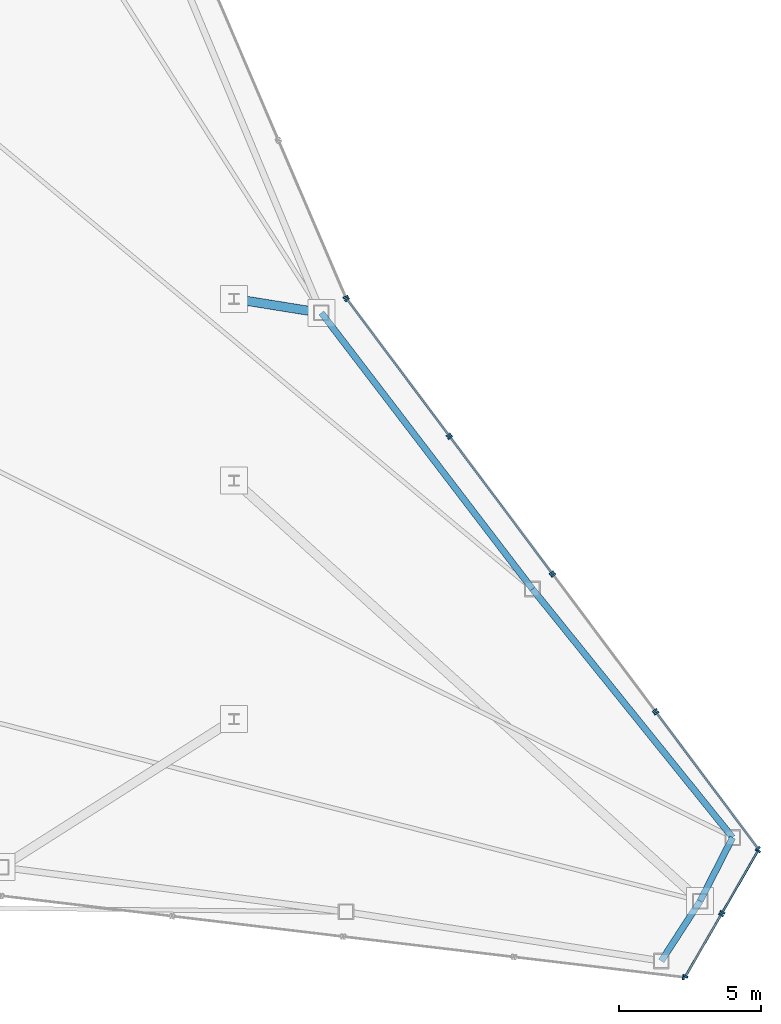
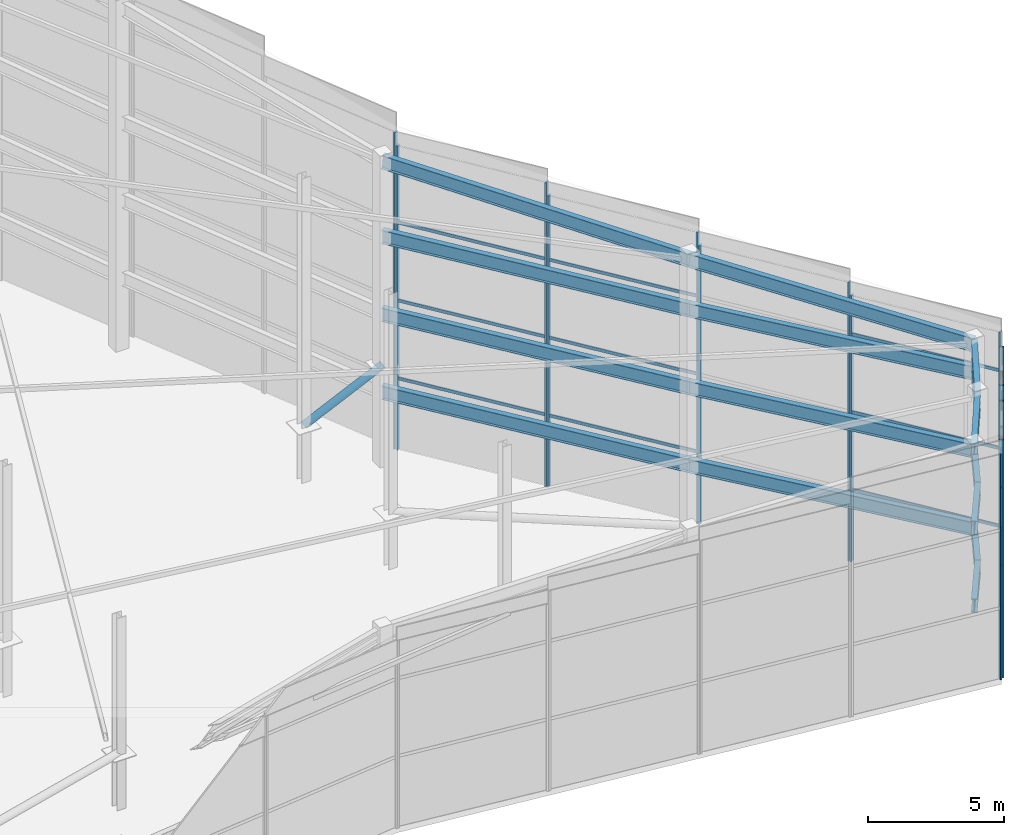
# One storey, part 11 of 17: 29 members, 15 beams, 8 elements without a shape of their own.
"""IFC4 building model written with IfcOpenShell, lengths in metres."""

from ifc_helpers import new_model, si_unit, direction, frame, origin, origin_2d, place, context, subcontext, project, spatial, rectangle, hollow_circle, i_section, extrude, source, transform, mapped, material, layer, layer_set, material_profile, profile_set, type_object, type_shapes, element, aggregate, save


model = new_model("IFC4")

# Units and contexts
model_context = context("Model", 3, precision=1e-05, world=origin(), true_north=direction((0.0, 1.0)))
body_context = subcontext(model_context, "Body", "Model", "MODEL_VIEW")
ifc_project = project(units=[si_unit("LENGTHUNIT", "METRE"), si_unit("AREAUNIT", "SQUARE_METRE"), si_unit("VOLUMEUNIT", "CUBIC_METRE"), si_unit("PLANEANGLEUNIT", "RADIAN"), si_unit("MASSUNIT", "GRAM", prefix="KILO")], contexts=[model_context])

# Site, building, storey
site_placement = place(None, origin())
site = spatial("IfcSite", under=ifc_project, at=site_placement, CompositionType="ELEMENT")
building_placement = place(site_placement, origin())
building = spatial("IfcBuilding", under=site, at=building_placement, Name="Varakhsha Concourse Tower", CompositionType="ELEMENT")
storey_placement = place(building_placement, frame((0.0, 0.0, 294.800048828125)))
storey = spatial("IfcBuildingStorey", under=building, at=storey_placement, Name="RF", CompositionType="ELEMENT", Elevation=294.800048828125)

# Beams
ifc_material_1 = material(Name="Structural Steel ASTM A992 Grade 50", Category="steel")
ifc_material_profile_1 = material_profile(ifc_material_1, i_section(OverallWidth=0.22900390625, OverallDepth=0.612060546875, WebThickness=0.011962890625, FlangeThickness=0.02001953125, at=origin_2d()), Name="W24X84")
ifc_profile_set_1 = profile_set([ifc_material_profile_1], Name="Structural Steel ASTM A992 Grade 50")
beam_type = type_object("IfcBeamType", Name="BM-CROWN-W24X84", PredefinedType="BEAM", material=ifc_profile_set_1)
beam_1_placement = place(storey_placement, frame((63.243408203125, 7.881591796875, 10.25390625), z_axis=(0.528506634206, 0.816276418771, 0.233181358087), x_axis=(-0.839416388173, 0.543488847416, 0.0)))
element("IfcBeam", 1, at=beam_1_placement, inside=storey, type_object=beam_type, Name="Crown Frame Sloped Cap Ring 13", PredefinedType="BEAM", context=body_context, shape_type="SweptSolid", body=[
    extrude(i_section(OverallWidth=0.22900390625, OverallDepth=0.612060546875, WebThickness=0.011962890625, FlangeThickness=0.02001953125, at=origin_2d()), origin(), (0.0, 0.0, 1.0), 2.5849609375),
])
for number, where, z_axis, x_axis, name in (
    (2, (63.243408203125, 7.881591796875, 3.199951171875), (0.543488847416, 0.839416388173, 0.0), (-0.839416388173, 0.543488847416, 0.0), "Crown Frame Ring Tier 1 13"),
    (3, (63.243408203125, 7.881591796875, 6.699951171875), (0.543488847416, 0.839416388173, 0.0), (-0.839416388173, 0.543488847416, 0.0), "Crown Frame Ring Tier 2 13"),
):
    element("IfcBeam", number, at=place(storey_placement, frame(where, z_axis=z_axis, x_axis=x_axis)), inside=storey, type_object=beam_type, Name=name, PredefinedType="BEAM", context=body_context, shape_type="SweptSolid", body=[
        extrude(i_section(OverallWidth=0.22900390625, OverallDepth=0.612060546875, WebThickness=0.011962890625, FlangeThickness=0.02001953125, at=origin_2d()), origin(), (0.0, 0.0, 1.0), 2.513671875),
    ])
beam_2_placement = place(storey_placement, frame((64.609619140625, 9.99169921875, 10.856689453125), z_axis=(0.442686595761, 0.865822066, 0.23319675804), x_axis=(-0.89036994672, 0.455237693932, 0.0)))
element("IfcBeam", 4, at=beam_2_placement, inside=storey, type_object=beam_type, Name="Crown Frame Sloped Cap Ring 14", PredefinedType="BEAM", context=body_context, shape_type="SweptSolid", body=[
    extrude(i_section(OverallWidth=0.22900390625, OverallDepth=0.612060546875, WebThickness=0.011962890625, FlangeThickness=0.02001953125, at=origin_2d()), origin(), (0.0, 0.0, 1.0), 2.5849609375),
])
for number, where, z_axis, x_axis, name in (
    (5, (64.609619140625, 9.99169921875, 3.199951171875), (0.455237693932, 0.89036994672, 0.0), (-0.89036994672, 0.455237693932, 0.0), "Crown Frame Ring Tier 1 14"),
    (6, (64.609619140625, 9.99169921875, 6.699951171875), (0.455237693932, 0.89036994672, 0.0), (-0.89036994672, 0.455237693932, 0.0), "Crown Frame Ring Tier 2 14"),
    (7, (64.609619140625, 9.99169921875, 10.199951171875), (0.455237693932, 0.89036994672, 0.0), (-0.89036994672, 0.455237693932, 0.0), "Crown Frame Ring Tier 3 14"),
):
    element("IfcBeam", number, at=place(storey_placement, frame(where, z_axis=z_axis, x_axis=x_axis)), inside=storey, type_object=beam_type, Name=name, PredefinedType="BEAM", context=body_context, shape_type="SweptSolid", body=[
        extrude(i_section(OverallWidth=0.22900390625, OverallDepth=0.612060546875, WebThickness=0.011962890625, FlangeThickness=0.02001953125, at=origin_2d()), origin(), (0.0, 0.0, 1.0), 2.513671875),
    ])
beam_3_placement = place(storey_placement, frame((65.75390625, 12.229736328125, 11.45947265625), z_axis=(-0.624937367859, 0.775890305081, 0.086299019315), x_axis=(-0.778795773661, -0.627277564502, 0.0)))
element("IfcBeam", 8, at=beam_3_placement, inside=storey, type_object=beam_type, Name="Crown Frame Sloped Cap Ring 15", PredefinedType="BEAM", context=body_context, shape_type="SweptSolid", body=[
    extrude(i_section(OverallWidth=0.22900390625, OverallDepth=0.612060546875, WebThickness=0.011962890625, FlangeThickness=0.02001953125, at=origin_2d()), origin(), (0.0, 0.0, 1.0), 11.279296875),
])
for number, where, z_axis, x_axis, name in (
    (9, (65.75390625, 12.229736328125, 3.199951171875), (-0.627277564502, 0.778795773661, 0.0), (-0.778795773661, -0.627277564502, 0.0), "Crown Frame Ring Tier 1 15"),
    (10, (65.75390625, 12.229736328125, 6.699951171875), (-0.627277564502, 0.778795773661, 0.0), (-0.778795773661, -0.627277564502, 0.0), "Crown Frame Ring Tier 2 15"),
    (11, (65.75390625, 12.229736328125, 10.199951171875), (-0.627277564502, 0.778795773661, 0.0), (-0.778795773661, -0.627277564502, 0.0), "Crown Frame Ring Tier 3 15"),
):
    element("IfcBeam", number, at=place(storey_placement, frame(where, z_axis=z_axis, x_axis=x_axis)), inside=storey, type_object=beam_type, Name=name, PredefinedType="BEAM", context=body_context, shape_type="SweptSolid", body=[
        extrude(i_section(OverallWidth=0.22900390625, OverallDepth=0.612060546875, WebThickness=0.011962890625, FlangeThickness=0.02001953125, at=origin_2d()), origin(), (0.0, 0.0, 1.0), 11.237060546875),
    ])
beam_4_placement = place(storey_placement, frame((58.705078125, 20.981201171875, 12.432861328125), z_axis=(-0.60467719962, 0.791150282625, 0.091906009388), x_axis=(-0.794512910357, -0.60724726041, 0.0)))
element("IfcBeam", 12, at=beam_4_placement, inside=storey, type_object=beam_type, Name="Crown Frame Sloped Cap Ring 16", PredefinedType="BEAM", context=body_context, shape_type="SweptSolid", body=[
    extrude(i_section(OverallWidth=0.22900390625, OverallDepth=0.612060546875, WebThickness=0.011962890625, FlangeThickness=0.02001953125, at=origin_2d()), origin(), (0.0, 0.0, 1.0), 12.2939453125),
])
for number, where, z_axis, x_axis, name in (
    (13, (58.705078125, 20.981201171875, 3.199951171875), (-0.60724726041, 0.794512910357, 0.0), (-0.794512910357, -0.60724726041, 0.0), "Crown Frame Ring Tier 1 16"),
    (14, (58.705078125, 20.981201171875, 6.699951171875), (-0.60724726041, 0.794512910357, 0.0), (-0.794512910357, -0.60724726041, 0.0), "Crown Frame Ring Tier 2 16"),
    (15, (58.705078125, 20.981201171875, 10.199951171875), (-0.60724726041, 0.794512910357, 0.0), (-0.794512910357, -0.60724726041, 0.0), "Crown Frame Ring Tier 3 16"),
):
    element("IfcBeam", number, at=place(storey_placement, frame(where, z_axis=z_axis, x_axis=x_axis)), inside=storey, type_object=beam_type, Name=name, PredefinedType="BEAM", context=body_context, shape_type="SweptSolid", body=[
        extrude(i_section(OverallWidth=0.22900390625, OverallDepth=0.612060546875, WebThickness=0.011962890625, FlangeThickness=0.02001953125, at=origin_2d()), origin(), (0.0, 0.0, 1.0), 12.241943359375),
    ])

# Member
ifc_material_2 = material(Name="Structural Steel ASTM A500 Grade C", Category="steel")
ifc_material_profile_2 = material_profile(ifc_material_2, hollow_circle(Radius=0.162109375, WallThickness=0.013916015625, at=origin_2d()), Name="CHS 324x14")
ifc_profile_set_2 = profile_set([ifc_material_profile_2], Name="Structural Steel ASTM A500 Grade C")
member_type_1 = type_object("IfcMemberType", Name="MB-CROWN-CHS324", PredefinedType="BRACE", material=ifc_profile_set_2)
shared_shape_1 = source(origin(), body_context, "Body", "SweptSolid", [
    extrude(hollow_circle(Radius=0.162109375, WallThickness=0.013916015625, at=origin_2d()), origin(), (0.0, 0.0, 1.0), 3.671142578125),
])
type_shapes(member_type_1, [shared_shape_1])
member_1_placement = place(storey_placement, frame((48.199951171875, 31.199951171875, 2.449951171875), z_axis=(0.836592891465, -0.134134170277, 0.531150033714), x_axis=(0.158311917245, 0.987389151681, 0.0)))
element("IfcMember", 16, at=member_1_placement, inside=storey, type_object=member_type_1, Name="Crown Frame Radial Wind Brace CB04", PredefinedType="BRACE", context=body_context, shape_type="MappedRepresentation", body=[
    mapped(shared_shape_1, transform((0.0, 0.0, 0.0), scale=1.0)),
])

# Curtain wall, members
ifc_material_3 = material(Name="Anodised Bronze Architectural Aluminium AA 6063-T6", Category="aluminium")
ifc_layer = layer(ifc_material_3, 0.219970703125, Name="CW-SYS-07")
ifc_layer_set = layer_set([ifc_layer], Name="Anodised Bronze Architectural Aluminium AA 6063-T6")
curtain_wall_type = type_object("IfcCurtainWallType", Name="CW-SYS-07", PredefinedType="NOTDEFINED", material=ifc_layer_set)
curtain_wall_1_placement = place(storey_placement, origin())
curtain_wall_1 = element("IfcCurtainWall", 17, at=curtain_wall_1_placement, inside=storey, type_object=curtain_wall_type, Name="Slanted Crown Curtain Wall F7-S1", PredefinedType="NOTDEFINED")
ifc_material_profile_3 = material_profile(ifc_material_3, rectangle(XDim=0.06005859375, YDim=0.139892578125, at=origin_2d()), Name="CWT-140X60")
ifc_profile_set_3 = profile_set([ifc_material_profile_3], Name="Anodised Bronze Architectural Aluminium AA 6063-T6")
member_type_2 = type_object("IfcMemberType", Name="CWT-140X60", PredefinedType="USERDEFINED", material=ifc_profile_set_3)
shared_shape_2 = source(origin(), body_context, "Body", "SweptSolid", [
    extrude(rectangle(XDim=0.06005859375, YDim=0.139892578125, at=origin_2d()), origin(), (0.0, 0.0, 1.0), 2.5),
])
member_2_placement = place(storey_placement, frame((65.3466796875, 9.50830078125, 3.199951171875), z_axis=(-0.500004234368, -0.866022959057, 0.0), x_axis=(0.866022959057, -0.500004234368, 0.0)))
member_2 = element("IfcMember", 18, at=member_2_placement, type_object=member_type_2, Name="CW-RF-F7S1 Transom 01", ObjectType="TRANSOM", PredefinedType="USERDEFINED", context=body_context, shape_type="MappedRepresentation", body=[
    mapped(shared_shape_2, transform((0.0, 0.0, 0.0), scale=1.0)),
])
member_3_placement = place(storey_placement, frame((65.3466796875, 9.50830078125, 6.699951171875), z_axis=(-0.500004234368, -0.866022959057, 0.0), x_axis=(0.866022959057, -0.500004234368, 0.0)))
member_3 = element("IfcMember", 19, at=member_3_placement, type_object=member_type_2, Name="CW-RF-F7S1 Transom 02", ObjectType="TRANSOM", PredefinedType="USERDEFINED", context=body_context, shape_type="MappedRepresentation", body=[
    mapped(shared_shape_2, transform((0.0, 0.0, 0.0), scale=1.0)),
])

curtain_wall_2_placement = place(storey_placement, origin())
curtain_wall_2 = element("IfcCurtainWall", 20, at=curtain_wall_2_placement, inside=storey, type_object=curtain_wall_type, Name="Slanted Crown Curtain Wall F7-S2", PredefinedType="NOTDEFINED")
member_4_placement = place(storey_placement, frame((66.646728515625, 11.760009765625, 3.199951171875), z_axis=(-0.500004234368, -0.866022959057, 0.0), x_axis=(0.866022959057, -0.500004234368, 0.0)))
member_4 = element("IfcMember", 21, at=member_4_placement, type_object=member_type_2, Name="CW-RF-F7S2 Transom 01", ObjectType="TRANSOM", PredefinedType="USERDEFINED", context=body_context, shape_type="MappedRepresentation", body=[
    mapped(shared_shape_2, transform((0.0, 0.0, 0.0), scale=1.0)),
])
member_5_placement = place(storey_placement, frame((66.646728515625, 11.760009765625, 6.699951171875), z_axis=(-0.500004234368, -0.866022959057, 0.0), x_axis=(0.866022959057, -0.500004234368, 0.0)))
member_5 = element("IfcMember", 22, at=member_5_placement, type_object=member_type_2, Name="CW-RF-F7S2 Transom 02", ObjectType="TRANSOM", PredefinedType="USERDEFINED", context=body_context, shape_type="MappedRepresentation", body=[
    mapped(shared_shape_2, transform((0.0, 0.0, 0.0), scale=1.0)),
])
member_6_placement = place(storey_placement, frame((66.646728515625, 11.760009765625, 10.199951171875), z_axis=(-0.500004234368, -0.866022959057, 0.0), x_axis=(0.866022959057, -0.500004234368, 0.0)))
member_6 = element("IfcMember", 23, at=member_6_placement, type_object=member_type_2, Name="CW-RF-F7S2 Transom 03", ObjectType="TRANSOM", PredefinedType="USERDEFINED", context=body_context, shape_type="MappedRepresentation", body=[
    mapped(shared_shape_2, transform((0.0, 0.0, 0.0), scale=1.0)),
])
ifc_material_profile_4 = material_profile(ifc_material_3, rectangle(XDim=0.06494140625, YDim=0.179931640625, at=origin_2d()), Name="CWM-180X65")
ifc_profile_set_4 = profile_set([ifc_material_profile_4], Name="Anodised Bronze Architectural Aluminium AA 6063-T6")
member_type_3 = type_object("IfcMemberType", Name="CWM-180X65", PredefinedType="MULLION", material=ifc_profile_set_4)
shared_shape_3 = source(origin(), body_context, "Body", "SweptSolid", [
    extrude(rectangle(XDim=0.06494140625, YDim=0.179931640625, at=origin_2d()), origin(), (0.0, 0.0, 1.0), 11.32666015625),
])
member_7_placement = place(storey_placement, frame((66.646728515625, 11.760009765625, 0.0), z_axis=(0.0, 0.0, 1.0), x_axis=(-0.500010580459, -0.866019295067, 0.0)))
member_7 = element("IfcMember", 24, at=member_7_placement, type_object=member_type_3, Name="CW-RF-F7S2 Mullion 00", PredefinedType="MULLION", context=body_context, shape_type="MappedRepresentation", body=[
    mapped(shared_shape_3, transform((0.0, 0.0, 0.0), scale=1.0)),
])
member_8_placement = place(storey_placement, frame((65.396728515625, 9.594970703125, 0.0), z_axis=(0.0, 0.0, 1.0), x_axis=(-0.500010580459, -0.866019295067, 0.0)))
member_8 = element("IfcMember", 25, at=member_8_placement, type_object=member_type_3, Name="CW-RF-F7S2 Mullion 01", PredefinedType="MULLION", context=body_context, shape_type="MappedRepresentation", body=[
    mapped(shared_shape_3, transform((0.0, 0.0, 0.0), scale=1.0)),
])
aggregate(curtain_wall_2, [member_7, member_8, member_4, member_5, member_6])

curtain_wall_3_placement = place(storey_placement, origin())
curtain_wall_3 = element("IfcCurtainWall", 26, at=curtain_wall_3_placement, inside=storey, type_object=curtain_wall_type, Name="Slanted Crown Curtain Wall F8-S1", PredefinedType="NOTDEFINED")
shared_shape_4 = source(origin(), body_context, "Body", "SweptSolid", [
    extrude(rectangle(XDim=0.06005859375, YDim=0.139892578125, at=origin_2d()), origin(), (0.0, 0.0, 1.0), 5.960693359375),
])
type_shapes(member_type_2, [shared_shape_2, shared_shape_4])
member_9_placement = place(storey_placement, frame((63.07080078125, 16.615966796875, 3.199951171875), z_axis=(0.599062452485, -0.800702302996, 0.0), x_axis=(0.800702302996, 0.599062452485, 0.0)))
member_9 = element("IfcMember", 27, at=member_9_placement, type_object=member_type_2, Name="CW-RF-F8S1 Transom 01", ObjectType="TRANSOM", PredefinedType="USERDEFINED", context=body_context, shape_type="MappedRepresentation", body=[
    mapped(shared_shape_4, transform((0.0, 0.0, 0.0), scale=1.0)),
])
member_10_placement = place(storey_placement, frame((63.07080078125, 16.615966796875, 6.699951171875), z_axis=(0.599062452485, -0.800702302996, 0.0), x_axis=(0.800702302996, 0.599062452485, 0.0)))
member_10 = element("IfcMember", 28, at=member_10_placement, type_object=member_type_2, Name="CW-RF-F8S1 Transom 02", ObjectType="TRANSOM", PredefinedType="USERDEFINED", context=body_context, shape_type="MappedRepresentation", body=[
    mapped(shared_shape_4, transform((0.0, 0.0, 0.0), scale=1.0)),
])
member_11_placement = place(storey_placement, frame((63.07080078125, 16.615966796875, 10.199951171875), z_axis=(0.599062452485, -0.800702302996, 0.0), x_axis=(0.800702302996, 0.599062452485, 0.0)))
member_11 = element("IfcMember", 29, at=member_11_placement, type_object=member_type_2, Name="CW-RF-F8S1 Transom 03", ObjectType="TRANSOM", PredefinedType="USERDEFINED", context=body_context, shape_type="MappedRepresentation", body=[
    mapped(shared_shape_4, transform((0.0, 0.0, 0.0), scale=1.0)),
])

curtain_wall_4_placement = place(storey_placement, origin())
curtain_wall_4 = element("IfcCurtainWall", 30, at=curtain_wall_4_placement, inside=storey, type_object=curtain_wall_type, Name="Slanted Crown Curtain Wall F8-S3", PredefinedType="NOTDEFINED")
member_12_placement = place(storey_placement, frame((55.80859375, 26.32080078125, 3.199951171875), z_axis=(0.599108358218, -0.800667955593, 0.0), x_axis=(0.800667955593, 0.599108358218, 0.0)))
member_12 = element("IfcMember", 31, at=member_12_placement, type_object=member_type_2, Name="CW-RF-F8S3 Transom 01", ObjectType="TRANSOM", PredefinedType="USERDEFINED", context=body_context, shape_type="MappedRepresentation", body=[
    mapped(shared_shape_4, transform((0.0, 0.0, 0.0), scale=1.0)),
])
member_13_placement = place(storey_placement, frame((55.80859375, 26.32080078125, 6.699951171875), z_axis=(0.599108358218, -0.800667955593, 0.0), x_axis=(0.800667955593, 0.599108358218, 0.0)))
member_13 = element("IfcMember", 32, at=member_13_placement, type_object=member_type_2, Name="CW-RF-F8S3 Transom 02", ObjectType="TRANSOM", PredefinedType="USERDEFINED", context=body_context, shape_type="MappedRepresentation", body=[
    mapped(shared_shape_4, transform((0.0, 0.0, 0.0), scale=1.0)),
])
member_14_placement = place(storey_placement, frame((55.80859375, 26.32080078125, 10.199951171875), z_axis=(0.599108358218, -0.800667955593, 0.0), x_axis=(0.800667955593, 0.599108358218, 0.0)))
member_14 = element("IfcMember", 33, at=member_14_placement, type_object=member_type_2, Name="CW-RF-F8S3 Transom 03", ObjectType="TRANSOM", PredefinedType="USERDEFINED", context=body_context, shape_type="MappedRepresentation", body=[
    mapped(shared_shape_4, transform((0.0, 0.0, 0.0), scale=1.0)),
])

curtain_wall_5_placement = place(storey_placement, origin())
curtain_wall_5 = element("IfcCurtainWall", 34, at=curtain_wall_5_placement, inside=storey, type_object=curtain_wall_type, Name="Slanted Crown Curtain Wall F8-S4", PredefinedType="NOTDEFINED")
member_15_placement = place(storey_placement, frame((52.177734375, 31.173583984375, 3.199951171875), z_axis=(0.599088711153, -0.800682656343, 0.0), x_axis=(0.800682656343, 0.599088711153, 0.0)))
member_15 = element("IfcMember", 35, at=member_15_placement, type_object=member_type_2, Name="CW-RF-F8S4 Transom 01", ObjectType="TRANSOM", PredefinedType="USERDEFINED", context=body_context, shape_type="MappedRepresentation", body=[
    mapped(shared_shape_4, transform((0.0, 0.0, 0.0), scale=1.0)),
])
member_16_placement = place(storey_placement, frame((52.177734375, 31.173583984375, 6.699951171875), z_axis=(0.599088711153, -0.800682656343, 0.0), x_axis=(0.800682656343, 0.599088711153, 0.0)))
member_16 = element("IfcMember", 36, at=member_16_placement, type_object=member_type_2, Name="CW-RF-F8S4 Transom 02", ObjectType="TRANSOM", PredefinedType="USERDEFINED", context=body_context, shape_type="MappedRepresentation", body=[
    mapped(shared_shape_4, transform((0.0, 0.0, 0.0), scale=1.0)),
])
member_17_placement = place(storey_placement, frame((52.177734375, 31.173583984375, 10.199951171875), z_axis=(0.599088711153, -0.800682656343, 0.0), x_axis=(0.800682656343, 0.599088711153, 0.0)))
member_17 = element("IfcMember", 37, at=member_17_placement, type_object=member_type_2, Name="CW-RF-F8S4 Transom 03", ObjectType="TRANSOM", PredefinedType="USERDEFINED", context=body_context, shape_type="MappedRepresentation", body=[
    mapped(shared_shape_4, transform((0.0, 0.0, 0.0), scale=1.0)),
])

# Curtain wall, member
curtain_wall_6_placement = place(storey_placement, origin())
curtain_wall_6 = element("IfcCurtainWall", 38, at=curtain_wall_6_placement, inside=storey, type_object=curtain_wall_type, Name="Slanted Crown Curtain Wall F6-S4", PredefinedType="NOTDEFINED")
shared_shape_5 = source(origin(), body_context, "Body", "SweptSolid", [
    extrude(rectangle(XDim=0.06494140625, YDim=0.179931640625, at=origin_2d()), origin(), (0.0, 0.0, 1.0), 10.12939453125),
])
member_18_placement = place(storey_placement, frame((64.022216796875, 7.305908203125, 0.0), z_axis=(0.0, 0.0, 1.0), x_axis=(-0.992951034922, 0.118525281045, 0.0)))
member_18 = element("IfcMember", 39, at=member_18_placement, type_object=member_type_3, Name="CW-RF-F6S4 Mullion 00", PredefinedType="MULLION", context=body_context, shape_type="MappedRepresentation", body=[
    mapped(shared_shape_5, transform((0.0, 0.0, 0.0), scale=1.0)),
])
aggregate(curtain_wall_6, [member_18])

# Member
shared_shape_6 = source(origin(), body_context, "Body", "SweptSolid", [
    extrude(rectangle(XDim=0.06494140625, YDim=0.179931640625, at=origin_2d()), origin(), (0.0, 0.0, 1.0), 10.702392578125),
])
member_19_placement = place(storey_placement, frame((65.3466796875, 9.50830078125, 0.0), z_axis=(0.0, 0.0, 1.0), x_axis=(-0.49999395399, -0.866028894422, 0.0)))
member_19 = element("IfcMember", 40, at=member_19_placement, type_object=member_type_3, Name="CW-RF-F7S1 Mullion 00", PredefinedType="MULLION", context=body_context, shape_type="MappedRepresentation", body=[
    mapped(shared_shape_6, transform((0.0, 0.0, 0.0), scale=1.0)),
])

member_20_placement = place(storey_placement, frame((64.0966796875, 7.34326171875, 0.0), z_axis=(0.0, 0.0, 1.0), x_axis=(-0.49999395399, -0.866028894422, 0.0)))
member_20 = element("IfcMember", 41, at=member_20_placement, type_object=member_type_3, Name="CW-RF-F7S1 Mullion 01", PredefinedType="MULLION", context=body_context, shape_type="MappedRepresentation", body=[
    mapped(shared_shape_6, transform((0.0, 0.0, 0.0), scale=1.0)),
])

aggregate(curtain_wall_1, [member_19, member_20, member_2, member_3])

shared_shape_7 = source(origin(), body_context, "Body", "SweptSolid", [
    extrude(rectangle(XDim=0.06494140625, YDim=0.179931640625, at=origin_2d()), origin(), (0.0, 0.0, 1.0), 11.950927734375),
])
member_21_placement = place(storey_placement, frame((63.07080078125, 16.615966796875, 0.0), z_axis=(0.0, 0.0, 1.0), x_axis=(0.599092075779, -0.800680138844, 0.0)))
member_21 = element("IfcMember", 42, at=member_21_placement, type_object=member_type_3, Name="CW-RF-F8S1 Mullion 00", PredefinedType="MULLION", context=body_context, shape_type="MappedRepresentation", body=[
    mapped(shared_shape_7, transform((0.0, 0.0, 0.0), scale=1.0)),
])

member_22_placement = place(storey_placement, frame((66.6416015625, 11.84326171875, 0.0), z_axis=(0.0, 0.0, 1.0), x_axis=(0.599092075779, -0.800680138844, 0.0)))
member_22 = element("IfcMember", 43, at=member_22_placement, type_object=member_type_3, Name="CW-RF-F8S1 Mullion 01", PredefinedType="MULLION", context=body_context, shape_type="MappedRepresentation", body=[
    mapped(shared_shape_7, transform((0.0, 0.0, 0.0), scale=1.0)),
])

aggregate(curtain_wall_3, [member_21, member_22, member_9, member_10, member_11])

# Curtain wall, members
curtain_wall_7_placement = place(storey_placement, origin())
curtain_wall_7 = element("IfcCurtainWall", 44, at=curtain_wall_7_placement, inside=storey, type_object=curtain_wall_type, Name="Slanted Crown Curtain Wall F8-S2", PredefinedType="NOTDEFINED")
shared_shape_8 = source(origin(), body_context, "Body", "SweptSolid", [
    extrude(rectangle(XDim=0.06494140625, YDim=0.179931640625, at=origin_2d()), origin(), (0.0, 0.0, 1.0), 12.52392578125),
])
member_23_placement = place(storey_placement, frame((59.439697265625, 21.468505859375, 0.0), z_axis=(0.0, 0.0, 1.0), x_axis=(0.599100460449, -0.800673865122, 0.0)))
member_23 = element("IfcMember", 45, at=member_23_placement, type_object=member_type_3, Name="CW-RF-F8S2 Mullion 00", PredefinedType="MULLION", context=body_context, shape_type="MappedRepresentation", body=[
    mapped(shared_shape_8, transform((0.0, 0.0, 0.0), scale=1.0)),
])
member_24_placement = place(storey_placement, frame((63.0107421875, 16.69580078125, 0.0), z_axis=(0.0, 0.0, 1.0), x_axis=(0.599100460449, -0.800673865122, 0.0)))
member_24 = element("IfcMember", 46, at=member_24_placement, type_object=member_type_3, Name="CW-RF-F8S2 Mullion 01", PredefinedType="MULLION", context=body_context, shape_type="MappedRepresentation", body=[
    mapped(shared_shape_8, transform((0.0, 0.0, 0.0), scale=1.0)),
])
aggregate(curtain_wall_7, [member_23, member_24])

# Member
shared_shape_9 = source(origin(), body_context, "Body", "SweptSolid", [
    extrude(rectangle(XDim=0.06494140625, YDim=0.179931640625, at=origin_2d()), origin(), (0.0, 0.0, 1.0), 13.096923828125),
])
member_25_placement = place(storey_placement, frame((55.80859375, 26.32080078125, 0.0), z_axis=(0.0, 0.0, 1.0), x_axis=(0.599100460449, -0.800673865122, 0.0)))
member_25 = element("IfcMember", 47, at=member_25_placement, type_object=member_type_3, Name="CW-RF-F8S3 Mullion 00", PredefinedType="MULLION", context=body_context, shape_type="MappedRepresentation", body=[
    mapped(shared_shape_9, transform((0.0, 0.0, 0.0), scale=1.0)),
])

member_26_placement = place(storey_placement, frame((59.379638671875, 21.54833984375, 0.0), z_axis=(0.0, 0.0, 1.0), x_axis=(0.599100460449, -0.800673865122, 0.0)))
member_26 = element("IfcMember", 48, at=member_26_placement, type_object=member_type_3, Name="CW-RF-F8S3 Mullion 01", PredefinedType="MULLION", context=body_context, shape_type="MappedRepresentation", body=[
    mapped(shared_shape_9, transform((0.0, 0.0, 0.0), scale=1.0)),
])

aggregate(curtain_wall_4, [member_25, member_26, member_12, member_13, member_14])

shared_shape_10 = source(origin(), body_context, "Body", "SweptSolid", [
    extrude(rectangle(XDim=0.06494140625, YDim=0.179931640625, at=origin_2d()), origin(), (0.0, 0.0, 1.0), 13.669921875),
])
member_27_placement = place(storey_placement, frame((52.177734375, 31.173583984375, 0.0), z_axis=(0.0, 0.0, 1.0), x_axis=(0.599092075779, -0.800680138844, 0.0)))
member_27 = element("IfcMember", 49, at=member_27_placement, type_object=member_type_3, Name="CW-RF-F8S4 Mullion 00", PredefinedType="MULLION", context=body_context, shape_type="MappedRepresentation", body=[
    mapped(shared_shape_10, transform((0.0, 0.0, 0.0), scale=1.0)),
])

member_28_placement = place(storey_placement, frame((55.748779296875, 26.40087890625, 0.0), z_axis=(0.0, 0.0, 1.0), x_axis=(0.599092075779, -0.800680138844, 0.0)))
member_28 = element("IfcMember", 50, at=member_28_placement, type_object=member_type_3, Name="CW-RF-F8S4 Mullion 01", PredefinedType="MULLION", context=body_context, shape_type="MappedRepresentation", body=[
    mapped(shared_shape_10, transform((0.0, 0.0, 0.0), scale=1.0)),
])

aggregate(curtain_wall_5, [member_27, member_28, member_15, member_16, member_17])

# Curtain wall, member
curtain_wall_8_placement = place(storey_placement, origin())
curtain_wall_8 = element("IfcCurtainWall", 51, at=curtain_wall_8_placement, inside=storey, type_object=curtain_wall_type, Name="Slanted Crown Curtain Wall F9-S1", PredefinedType="NOTDEFINED")
shared_shape_11 = source(origin(), body_context, "Body", "SweptSolid", [
    extrude(rectangle(XDim=0.06494140625, YDim=0.179931640625, at=origin_2d()), origin(), (0.0, 0.0, 1.0), 14.2431640625),
])
type_shapes(member_type_3, [shared_shape_3, shared_shape_5, shared_shape_6, shared_shape_7, shared_shape_8, shared_shape_9, shared_shape_10, shared_shape_11])
member_29_placement = place(storey_placement, frame((52.1279296875, 31.259521484375, 0.0), z_axis=(0.0, 0.0, 1.0), x_axis=(0.393840843001, -0.919178649874, 0.0)))
member_29 = element("IfcMember", 52, at=member_29_placement, type_object=member_type_3, Name="CW-RF-F9S1 Mullion 01", PredefinedType="MULLION", context=body_context, shape_type="MappedRepresentation", body=[
    mapped(shared_shape_11, transform((0.0, 0.0, 0.0), scale=1.0)),
])
aggregate(curtain_wall_8, [member_29])

save(model, "model.ifc")
